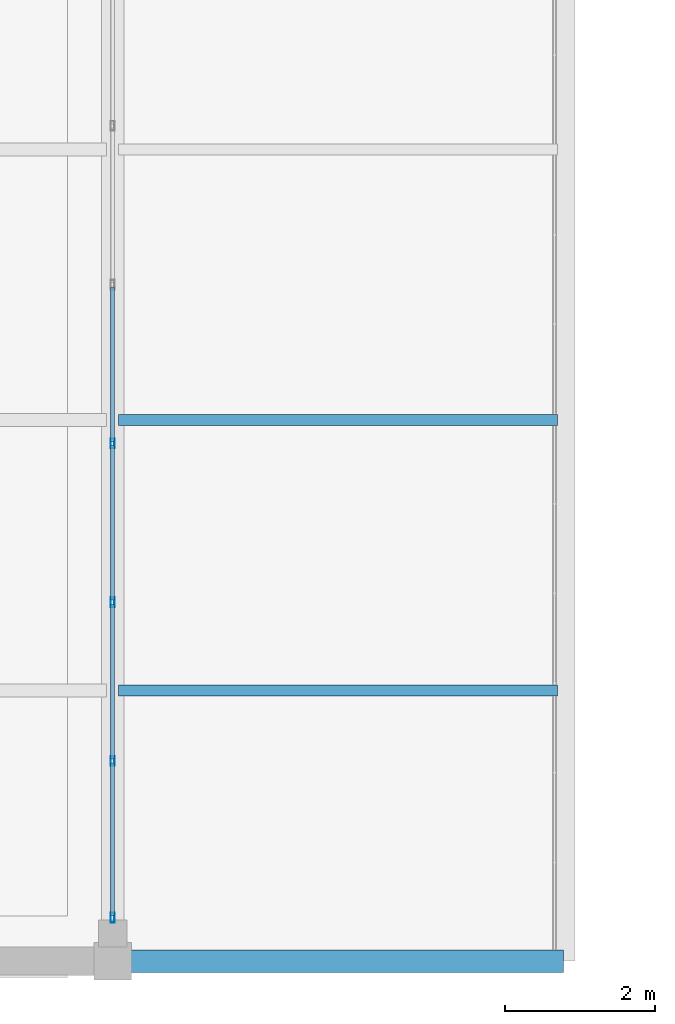
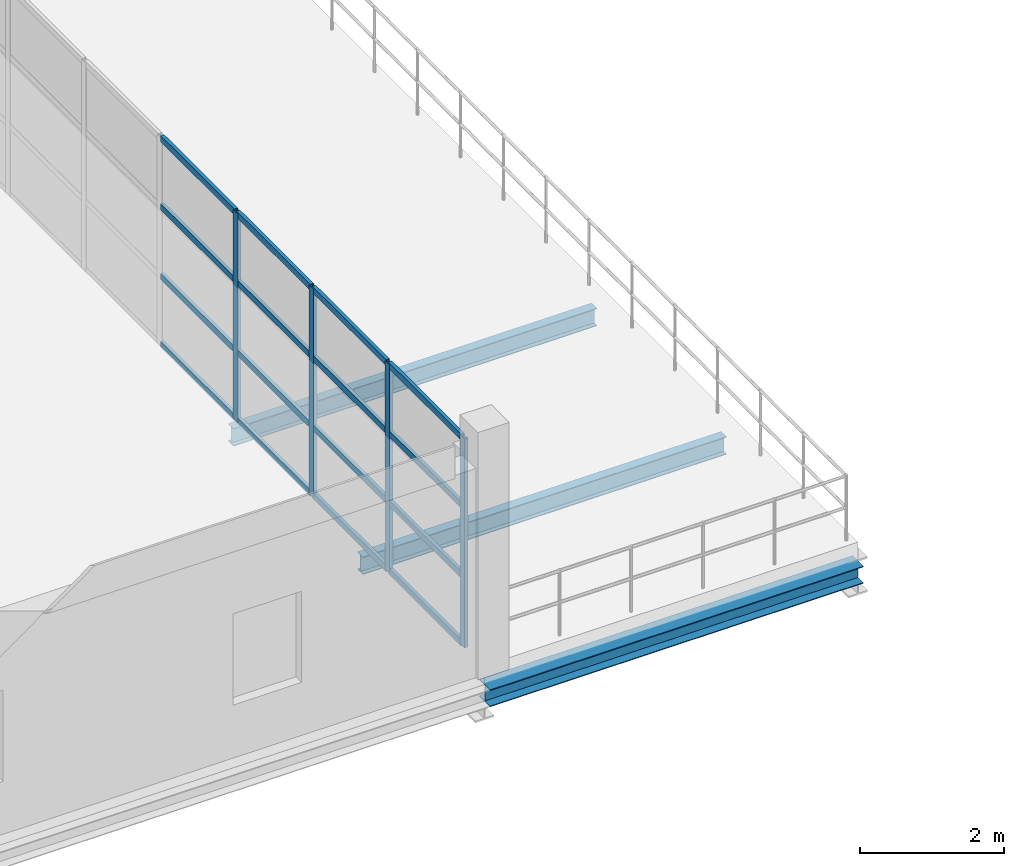
# One storey, part 2 of 11: 20 members, 3 beams, 1 element without a shape of its own.
"""IFC4 building model written with IfcOpenShell, lengths in metres."""

from ifc_helpers import new_model, si_unit, direction, frame, origin, origin_2d, place, context, subcontext, project, spatial, hollow_rectangle, i_section, extrude, material, layer, layer_set, material_profile, profile_set, type_object, element, aggregate, save


model = new_model("IFC4")

# Units and contexts
model_context = context("Model", 3, precision=1e-05, world=origin(), true_north=direction((0.0, 1.0)))
body_context = subcontext(model_context, "Body", "Model", "MODEL_VIEW")
ifc_project = project(units=[si_unit("LENGTHUNIT", "METRE"), si_unit("AREAUNIT", "SQUARE_METRE"), si_unit("VOLUMEUNIT", "CUBIC_METRE"), si_unit("PLANEANGLEUNIT", "RADIAN"), si_unit("MASSUNIT", "GRAM", prefix="KILO")], contexts=[model_context])

# Site, building, storey
site_placement = place(None, origin())
site = spatial("IfcSite", under=ifc_project, at=site_placement, CompositionType="ELEMENT")
building_placement = place(site_placement, origin())
building = spatial("IfcBuilding", under=site, at=building_placement, Name="Zilviju Railside Exhibition Hall", CompositionType="ELEMENT")
storey_placement = place(building_placement, frame((0.0, 0.0, 16.800048828125)))
storey = spatial("IfcBuildingStorey", under=building, at=storey_placement, Name="L05", CompositionType="ELEMENT", Elevation=16.800048828125)

# Beams
ifc_material_1 = material(Name="Steel S355J2", Category="steel")
ifc_material_profile_1 = material_profile(ifc_material_1, i_section(OverallWidth=0.300048828125, OverallDepth=0.2900390625, WebThickness=0.008544921875, FlangeThickness=0.013916015625, at=origin_2d()), Name="HEA 300")
ifc_profile_set_1 = profile_set([ifc_material_profile_1], Name="Steel S355J2")
beam_type_1 = type_object("IfcBeamType", Name="BM-HEA300", PredefinedType="SPANDREL", material=ifc_profile_set_1)
beam_placement = place(storey_placement, frame((36.0, 84.0, -0.465087890625), z_axis=(1.0, 0.0, 0.0), x_axis=(0.0, 1.0, 0.0)))
element("IfcBeam", 1, at=beam_placement, inside=storey, type_object=beam_type_1, Name="Primary Girder L05 Y=84.0 (36.0..42.0)", PredefinedType="SPANDREL", context=body_context, shape_type="SweptSolid", body=[
    extrude(i_section(OverallWidth=0.300048828125, OverallDepth=0.2900390625, WebThickness=0.008544921875, FlangeThickness=0.013916015625, at=origin_2d()), origin(), (0.0, 0.0, 1.0), 6.0),
])
ifc_material_profile_2 = material_profile(ifc_material_1, i_section(OverallWidth=0.14990234375, OverallDepth=0.300048828125, WebThickness=0.007080078125, FlangeThickness=0.0107421875, at=origin_2d()), Name="IPE 300")
ifc_profile_set_2 = profile_set([ifc_material_profile_2], Name="Steel S355J2")
beam_type_2 = type_object("IfcBeamType", Name="BM-IPE300", PredefinedType="JOIST", material=ifc_profile_set_2)
for number, where, z_axis, x_axis, name in (
    (2, (36.080078125, 87.60009765625, -0.469970703125), (1.0, 0.0, 0.0), (0.0, 1.0, 0.0), "Composite Floor Joist L05 Y=87.60 (36.0..42.0)"),
    (3, (36.080078125, 91.199951171875, -0.469970703125), (1.0, 0.0, 0.0), (0.0, 1.0, 0.0), "Composite Floor Joist L05 Y=91.20 (36.0..42.0)"),
):
    element("IfcBeam", number, at=place(storey_placement, frame(where, z_axis=z_axis, x_axis=x_axis)), inside=storey, type_object=beam_type_2, Name=name, PredefinedType="JOIST", context=body_context, shape_type="SweptSolid", body=[
        extrude(i_section(OverallWidth=0.14990234375, OverallDepth=0.300048828125, WebThickness=0.007080078125, FlangeThickness=0.0107421875, at=origin_2d()), origin(), (0.0, 0.0, 1.0), 5.83984375),
    ])

# Curtain wall, members
ifc_material_2 = material(Name="Thermally broken aluminium-steel triple-glazed curtain wall", Category="steel")
ifc_layer = layer(ifc_material_2, 0.179931640625)
ifc_layer_set = layer_set([ifc_layer], Name="Thermally broken aluminium-steel triple-glazed curtain wall")
curtain_wall_type = type_object("IfcCurtainWallType", Name="CW-BAY-08", PredefinedType="USERDEFINED", material=ifc_layer_set)
curtain_wall_placement = place(storey_placement, origin())
curtain_wall = element("IfcCurtainWall", 4, at=curtain_wall_placement, inside=storey, type_object=curtain_wall_type, Name="Directorate L05 Boardroom Curtain Wall", ObjectType="GLAZED CURTAIN WALL", PredefinedType="USERDEFINED")
ifc_material_3 = material(Name="Thermally broken anodized aluminium mullion", Category="aluminium")
ifc_material_profile_3 = material_profile(ifc_material_3, hollow_rectangle(XDim=0.054931640625, YDim=0.1298828125, WallThickness=0.0048828125, at=origin_2d()), Name="MULLION 130x55x5")
ifc_profile_set_3 = profile_set([ifc_material_profile_3], Name="Thermally broken anodized aluminium mullion")
member_type_1 = type_object("IfcMemberType", Name="CWM-55x130", PredefinedType="MULLION", material=ifc_profile_set_3)
member_1_placement = place(storey_placement, frame((36.0, 90.887451171875, 0.0), z_axis=(0.0, 0.0, 1.0), x_axis=(1.0, 0.0, 0.0)))
member_1 = element("IfcMember", 5, at=member_1_placement, type_object=member_type_1, Name="CW-08 mullion 6", PredefinedType="MULLION", context=body_context, shape_type="SweptSolid", body=[
    extrude(hollow_rectangle(XDim=0.054931640625, YDim=0.1298828125, WallThickness=0.0048828125, at=origin_2d()), origin(), (0.0, 0.0, 1.0), 3.550048828125),
])
member_2_placement = place(storey_placement, frame((36.0, 88.77490234375, 0.0), z_axis=(0.0, 0.0, 1.0), x_axis=(1.0, 0.0, 0.0)))
member_2 = element("IfcMember", 6, at=member_2_placement, type_object=member_type_1, Name="CW-08 mullion 7", PredefinedType="MULLION", context=body_context, shape_type="SweptSolid", body=[
    extrude(hollow_rectangle(XDim=0.054931640625, YDim=0.1298828125, WallThickness=0.0048828125, at=origin_2d()), origin(), (0.0, 0.0, 1.0), 3.550048828125),
])
member_3_placement = place(storey_placement, frame((36.0, 86.66259765625, 0.0), z_axis=(0.0, 0.0, 1.0), x_axis=(1.0, 0.0, 0.0)))
member_3 = element("IfcMember", 7, at=member_3_placement, type_object=member_type_1, Name="CW-08 mullion 8", PredefinedType="MULLION", context=body_context, shape_type="SweptSolid", body=[
    extrude(hollow_rectangle(XDim=0.054931640625, YDim=0.1298828125, WallThickness=0.0048828125, at=origin_2d()), origin(), (0.0, 0.0, 1.0), 3.550048828125),
])
member_4_placement = place(storey_placement, frame((36.0, 84.577392578125, 0.0), z_axis=(0.0, 0.0, 1.0), x_axis=(1.0, 0.0, 0.0)))
member_4 = element("IfcMember", 8, at=member_4_placement, type_object=member_type_1, Name="CW-08 mullion 9", PredefinedType="MULLION", context=body_context, shape_type="SweptSolid", body=[
    extrude(hollow_rectangle(XDim=0.054931640625, YDim=0.1298828125, WallThickness=0.0048828125, at=origin_2d()), origin(), (0.0, 0.0, 1.0), 3.550048828125),
])
ifc_material_4 = material(Name="Thermally broken anodized aluminium transom", Category="aluminium")
ifc_material_profile_4 = material_profile(ifc_material_4, hollow_rectangle(XDim=0.054931640625, YDim=0.10498046875, WallThickness=0.0048828125, at=origin_2d()), Name="TRANSOM 105x55x5")
ifc_profile_set_4 = profile_set([ifc_material_profile_4], Name="Thermally broken anodized aluminium transom")
member_type_2 = type_object("IfcMemberType", Name="CWT-55x105", PredefinedType="USERDEFINED", material=ifc_profile_set_4)
member_5_placement = place(storey_placement, frame((36.0, 92.972412109375, 0.02734375), z_axis=(0.0, -1.0, 0.0), x_axis=(1.0, 0.0, 0.0)))
member_5 = element("IfcMember", 9, at=member_5_placement, type_object=member_type_2, Name="CW-08 transom 5.1", ObjectType="TRANSOM", PredefinedType="USERDEFINED", context=body_context, shape_type="SweptSolid", body=[
    extrude(hollow_rectangle(XDim=0.054931640625, YDim=0.10498046875, WallThickness=0.0048828125, at=origin_2d()), origin(), (0.0, 0.0, 1.0), 2.057373046875),
])
member_6_placement = place(storey_placement, frame((36.0, 92.972412109375, 1.182861328125), z_axis=(0.0, -1.0, 0.0), x_axis=(1.0, 0.0, 0.0)))
member_6 = element("IfcMember", 10, at=member_6_placement, type_object=member_type_2, Name="CW-08 transom 5.2", ObjectType="TRANSOM", PredefinedType="USERDEFINED", context=body_context, shape_type="SweptSolid", body=[
    extrude(hollow_rectangle(XDim=0.054931640625, YDim=0.10498046875, WallThickness=0.0048828125, at=origin_2d()), origin(), (0.0, 0.0, 1.0), 2.057373046875),
])
member_7_placement = place(storey_placement, frame((36.0, 92.972412109375, 2.366943359375), z_axis=(0.0, -1.0, 0.0), x_axis=(1.0, 0.0, 0.0)))
member_7 = element("IfcMember", 11, at=member_7_placement, type_object=member_type_2, Name="CW-08 transom 5.3", ObjectType="TRANSOM", PredefinedType="USERDEFINED", context=body_context, shape_type="SweptSolid", body=[
    extrude(hollow_rectangle(XDim=0.054931640625, YDim=0.10498046875, WallThickness=0.0048828125, at=origin_2d()), origin(), (0.0, 0.0, 1.0), 2.057373046875),
])
member_8_placement = place(storey_placement, frame((36.0, 92.972412109375, 3.5224609375), z_axis=(0.0, -1.0, 0.0), x_axis=(1.0, 0.0, 0.0)))
member_8 = element("IfcMember", 12, at=member_8_placement, type_object=member_type_2, Name="CW-08 transom 5.4", ObjectType="TRANSOM", PredefinedType="USERDEFINED", context=body_context, shape_type="SweptSolid", body=[
    extrude(hollow_rectangle(XDim=0.054931640625, YDim=0.10498046875, WallThickness=0.0048828125, at=origin_2d()), origin(), (0.0, 0.0, 1.0), 2.057373046875),
])
member_9_placement = place(storey_placement, frame((36.0, 90.860107421875, 0.02734375), z_axis=(0.0, -1.0, 0.0), x_axis=(1.0, 0.0, 0.0)))
member_9 = element("IfcMember", 13, at=member_9_placement, type_object=member_type_2, Name="CW-08 transom 6.1", ObjectType="TRANSOM", PredefinedType="USERDEFINED", context=body_context, shape_type="SweptSolid", body=[
    extrude(hollow_rectangle(XDim=0.054931640625, YDim=0.10498046875, WallThickness=0.0048828125, at=origin_2d()), origin(), (0.0, 0.0, 1.0), 2.0576171875),
])
member_10_placement = place(storey_placement, frame((36.0, 90.860107421875, 1.182861328125), z_axis=(0.0, -1.0, 0.0), x_axis=(1.0, 0.0, 0.0)))
member_10 = element("IfcMember", 14, at=member_10_placement, type_object=member_type_2, Name="CW-08 transom 6.2", ObjectType="TRANSOM", PredefinedType="USERDEFINED", context=body_context, shape_type="SweptSolid", body=[
    extrude(hollow_rectangle(XDim=0.054931640625, YDim=0.10498046875, WallThickness=0.0048828125, at=origin_2d()), origin(), (0.0, 0.0, 1.0), 2.0576171875),
])
member_11_placement = place(storey_placement, frame((36.0, 90.860107421875, 2.366943359375), z_axis=(0.0, -1.0, 0.0), x_axis=(1.0, 0.0, 0.0)))
member_11 = element("IfcMember", 15, at=member_11_placement, type_object=member_type_2, Name="CW-08 transom 6.3", ObjectType="TRANSOM", PredefinedType="USERDEFINED", context=body_context, shape_type="SweptSolid", body=[
    extrude(hollow_rectangle(XDim=0.054931640625, YDim=0.10498046875, WallThickness=0.0048828125, at=origin_2d()), origin(), (0.0, 0.0, 1.0), 2.0576171875),
])
member_12_placement = place(storey_placement, frame((36.0, 90.860107421875, 3.5224609375), z_axis=(0.0, -1.0, 0.0), x_axis=(1.0, 0.0, 0.0)))
member_12 = element("IfcMember", 16, at=member_12_placement, type_object=member_type_2, Name="CW-08 transom 6.4", ObjectType="TRANSOM", PredefinedType="USERDEFINED", context=body_context, shape_type="SweptSolid", body=[
    extrude(hollow_rectangle(XDim=0.054931640625, YDim=0.10498046875, WallThickness=0.0048828125, at=origin_2d()), origin(), (0.0, 0.0, 1.0), 2.0576171875),
])
member_13_placement = place(storey_placement, frame((36.0, 88.74755859375, 0.02734375), z_axis=(0.0, -1.0, 0.0), x_axis=(1.0, 0.0, 0.0)))
member_13 = element("IfcMember", 17, at=member_13_placement, type_object=member_type_2, Name="CW-08 transom 7.1", ObjectType="TRANSOM", PredefinedType="USERDEFINED", context=body_context, shape_type="SweptSolid", body=[
    extrude(hollow_rectangle(XDim=0.054931640625, YDim=0.10498046875, WallThickness=0.0048828125, at=origin_2d()), origin(), (0.0, 0.0, 1.0), 2.0576171875),
])
member_14_placement = place(storey_placement, frame((36.0, 88.74755859375, 1.182861328125), z_axis=(0.0, -1.0, 0.0), x_axis=(1.0, 0.0, 0.0)))
member_14 = element("IfcMember", 18, at=member_14_placement, type_object=member_type_2, Name="CW-08 transom 7.2", ObjectType="TRANSOM", PredefinedType="USERDEFINED", context=body_context, shape_type="SweptSolid", body=[
    extrude(hollow_rectangle(XDim=0.054931640625, YDim=0.10498046875, WallThickness=0.0048828125, at=origin_2d()), origin(), (0.0, 0.0, 1.0), 2.0576171875),
])
member_15_placement = place(storey_placement, frame((36.0, 88.74755859375, 2.366943359375), z_axis=(0.0, -1.0, 0.0), x_axis=(1.0, 0.0, 0.0)))
member_15 = element("IfcMember", 19, at=member_15_placement, type_object=member_type_2, Name="CW-08 transom 7.3", ObjectType="TRANSOM", PredefinedType="USERDEFINED", context=body_context, shape_type="SweptSolid", body=[
    extrude(hollow_rectangle(XDim=0.054931640625, YDim=0.10498046875, WallThickness=0.0048828125, at=origin_2d()), origin(), (0.0, 0.0, 1.0), 2.0576171875),
])
member_16_placement = place(storey_placement, frame((36.0, 88.74755859375, 3.5224609375), z_axis=(0.0, -1.0, 0.0), x_axis=(1.0, 0.0, 0.0)))
member_16 = element("IfcMember", 20, at=member_16_placement, type_object=member_type_2, Name="CW-08 transom 7.4", ObjectType="TRANSOM", PredefinedType="USERDEFINED", context=body_context, shape_type="SweptSolid", body=[
    extrude(hollow_rectangle(XDim=0.054931640625, YDim=0.10498046875, WallThickness=0.0048828125, at=origin_2d()), origin(), (0.0, 0.0, 1.0), 2.0576171875),
])
member_17_placement = place(storey_placement, frame((36.0, 86.635009765625, 0.02734375), z_axis=(0.0, -1.0, 0.0), x_axis=(1.0, 0.0, 0.0)))
member_17 = element("IfcMember", 21, at=member_17_placement, type_object=member_type_2, Name="CW-08 transom 8.1", ObjectType="TRANSOM", PredefinedType="USERDEFINED", context=body_context, shape_type="SweptSolid", body=[
    extrude(hollow_rectangle(XDim=0.054931640625, YDim=0.10498046875, WallThickness=0.0048828125, at=origin_2d()), origin(), (0.0, 0.0, 1.0), 2.030029296875),
])
member_18_placement = place(storey_placement, frame((36.0, 86.635009765625, 1.182861328125), z_axis=(0.0, -1.0, 0.0), x_axis=(1.0, 0.0, 0.0)))
member_18 = element("IfcMember", 22, at=member_18_placement, type_object=member_type_2, Name="CW-08 transom 8.2", ObjectType="TRANSOM", PredefinedType="USERDEFINED", context=body_context, shape_type="SweptSolid", body=[
    extrude(hollow_rectangle(XDim=0.054931640625, YDim=0.10498046875, WallThickness=0.0048828125, at=origin_2d()), origin(), (0.0, 0.0, 1.0), 2.030029296875),
])
member_19_placement = place(storey_placement, frame((36.0, 86.635009765625, 2.366943359375), z_axis=(0.0, -1.0, 0.0), x_axis=(1.0, 0.0, 0.0)))
member_19 = element("IfcMember", 23, at=member_19_placement, type_object=member_type_2, Name="CW-08 transom 8.3", ObjectType="TRANSOM", PredefinedType="USERDEFINED", context=body_context, shape_type="SweptSolid", body=[
    extrude(hollow_rectangle(XDim=0.054931640625, YDim=0.10498046875, WallThickness=0.0048828125, at=origin_2d()), origin(), (0.0, 0.0, 1.0), 2.030029296875),
])
member_20_placement = place(storey_placement, frame((36.0, 86.635009765625, 3.5224609375), z_axis=(0.0, -1.0, 0.0), x_axis=(1.0, 0.0, 0.0)))
member_20 = element("IfcMember", 24, at=member_20_placement, type_object=member_type_2, Name="CW-08 transom 8.4", ObjectType="TRANSOM", PredefinedType="USERDEFINED", context=body_context, shape_type="SweptSolid", body=[
    extrude(hollow_rectangle(XDim=0.054931640625, YDim=0.10498046875, WallThickness=0.0048828125, at=origin_2d()), origin(), (0.0, 0.0, 1.0), 2.030029296875),
])
aggregate(curtain_wall, [member_1, member_2, member_3, member_4, member_5, member_6, member_7, member_8, member_9, member_10, member_11, member_12, member_13, member_14, member_15, member_16, member_17, member_18, member_19, member_20])

save(model, "model.ifc")
